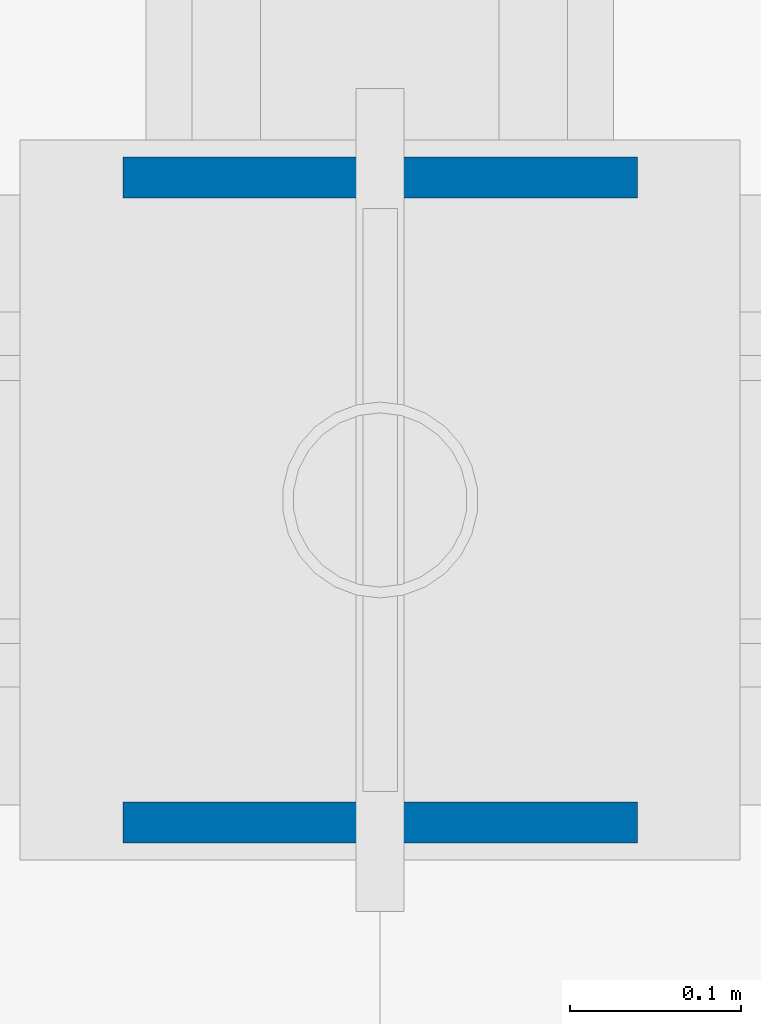
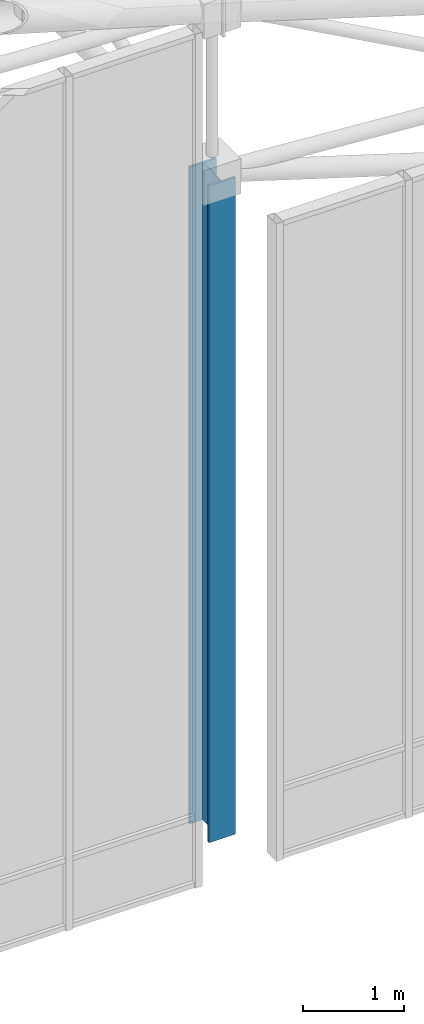
# One storey, part 3 of 144: 1 column.
"""IFC4 building model written with IfcOpenShell, lengths in metres."""

from ifc_helpers import new_model, si_unit, direction, frame, origin, origin_2d, place, context, subcontext, project, spatial, i_section, extrude, material, material_profile, profile_set, type_object, element, save


model = new_model("IFC4")

# Units and contexts
model_context = context("Model", 3, precision=1e-05, world=origin(), true_north=direction((0.0, 1.0)))
body_context = subcontext(model_context, "Body", "Model", "MODEL_VIEW")
ifc_project = project(units=[si_unit("LENGTHUNIT", "METRE"), si_unit("AREAUNIT", "SQUARE_METRE"), si_unit("VOLUMEUNIT", "CUBIC_METRE"), si_unit("PLANEANGLEUNIT", "RADIAN"), si_unit("MASSUNIT", "GRAM", prefix="KILO")], contexts=[model_context])

# Site, building, storey
site_placement = place(None, origin())
site = spatial("IfcSite", under=ifc_project, at=site_placement, CompositionType="ELEMENT")
building_placement = place(site_placement, origin())
building = spatial("IfcBuilding", under=site, at=building_placement, Name="Zayran Congress Hotel", CompositionType="ELEMENT")
storey_placement = place(building_placement, frame((0.0, 0.0, 19.199951171875)))
storey = spatial("IfcBuildingStorey", under=building, at=storey_placement, Name="L04", CompositionType="ELEMENT", Elevation=19.199951171875)

# Column
ifc_material = material(Name="Steel S355", Category="steel")
ifc_material_profile = material_profile(ifc_material, i_section(OverallWidth=0.300048828125, OverallDepth=0.39990234375, WebThickness=0.013427734375, FlangeThickness=0.02392578125, at=origin_2d()), Name="HEB 400")
ifc_profile_set = profile_set([ifc_material_profile], Name="Steel S355")
column_type = type_object("IfcColumnType", Name="TP-CL-07", PredefinedType="COLUMN", material=ifc_profile_set)
column_placement = place(storey_placement, frame((67.199951171875, 68.199951171875, 0.0), z_axis=(0.0, 0.0, 1.0), x_axis=(1.0, 0.0, 0.0)))
element("IfcColumn", 1, at=column_placement, inside=storey, type_object=column_type, Name="COL-V1-GAB-1421", PredefinedType="COLUMN", context=body_context, shape_type="SweptSolid", body=[
    extrude(i_section(OverallWidth=0.300048828125, OverallDepth=0.39990234375, WebThickness=0.013427734375, FlangeThickness=0.02392578125, at=origin_2d()), origin(), (0.0, 0.0, 1.0), 7.900146484375),
])

save(model, "model.ifc")
